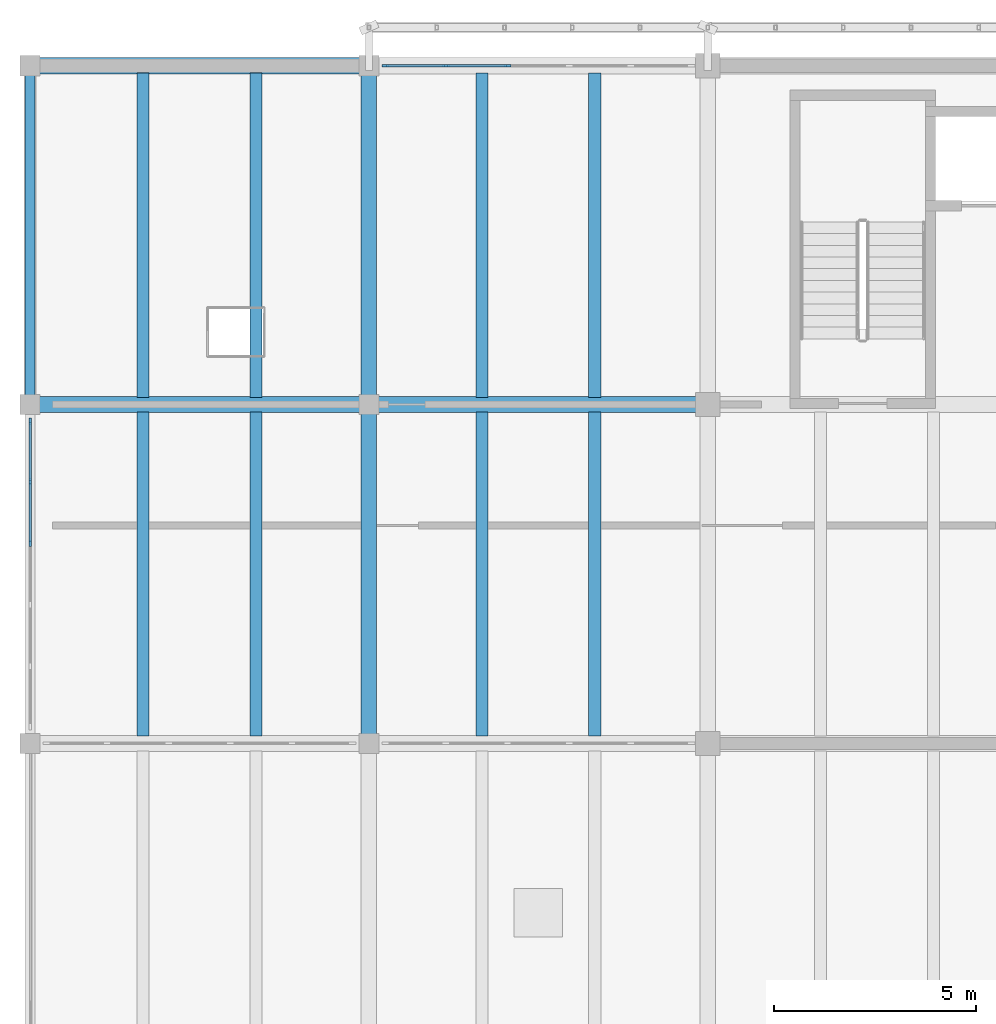
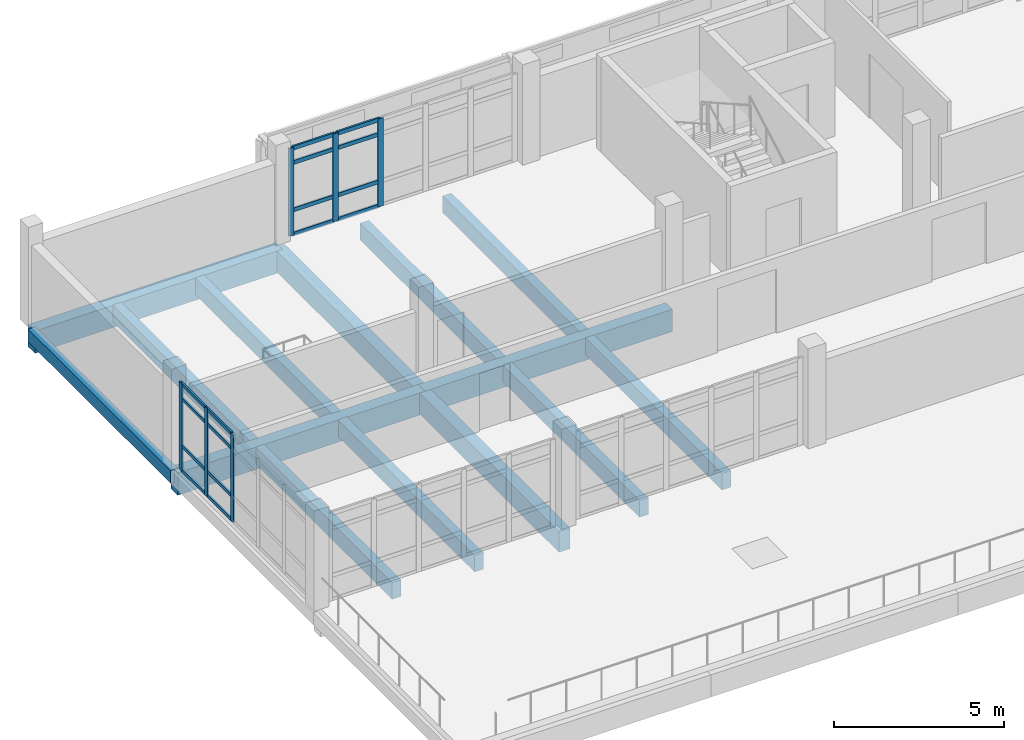
# One storey, part 17 of 50: 22 members, 14 beams, 2 elements without a shape of their own.
"""IFC4 building model written with IfcOpenShell, lengths in metres."""

from ifc_helpers import new_model, si_unit, direction, frame, origin, origin_2d, place, context, subcontext, project, spatial, rectangle, extrude, material, material_profile, profile_set, type_object, element, aggregate, save


model = new_model("IFC4")

# Units and contexts
model_context = context("Model", 3, precision=1e-05, world=origin(), true_north=direction((0.0, 1.0)))
body_context = subcontext(model_context, "Body", "Model", "MODEL_VIEW")
ifc_project = project(units=[si_unit("LENGTHUNIT", "METRE"), si_unit("AREAUNIT", "SQUARE_METRE"), si_unit("VOLUMEUNIT", "CUBIC_METRE"), si_unit("PLANEANGLEUNIT", "RADIAN"), si_unit("MASSUNIT", "GRAM", prefix="KILO")], contexts=[model_context])

# Site, building, storey
site_placement = place(None, origin())
site = spatial("IfcSite", under=ifc_project, at=site_placement, CompositionType="ELEMENT")
building_placement = place(site_placement, origin())
building = spatial("IfcBuilding", under=site, at=building_placement, Name="Cinderway Yard Community Centre", CompositionType="ELEMENT")
storey_placement = place(building_placement, frame((0.0, 0.0, 12.89990234375)))
storey = spatial("IfcBuildingStorey", under=building, at=storey_placement, Name="L03", CompositionType="ELEMENT", Elevation=12.89990234375)

# Curtain wall, members
ifc_material_1 = material(Name="Aluminium 6063-T6", Category="aluminium")
curtain_wall_type = type_object("IfcCurtainWallType", Name="ENV-CW-TYPE-32", PredefinedType="USERDEFINED", material=ifc_material_1)
curtain_wall_1_placement = place(storey_placement, origin())
curtain_wall_1 = element("IfcCurtainWall", 1, at=curtain_wall_1_placement, inside=storey, type_object=curtain_wall_type, Name="V4 West End Curtain Wall ENV-CW-L03-ST-0174", ObjectType="GLAZED CURTAIN WALL", PredefinedType="USERDEFINED")
ifc_material_profile_1 = material_profile(ifc_material_1, rectangle(XDim=0.06005859375, YDim=0.159912109375, at=origin_2d()), Name="Aluminium 6063-T6")
ifc_profile_set_1 = profile_set([ifc_material_profile_1], Name="Aluminium 6063-T6")
member_type_1 = type_object("IfcMemberType", Name="ENV-CW-MULL-150", PredefinedType="MULLION", material=ifc_profile_set_1)
member_1_placement = place(storey_placement, frame((41.60009765625, 103.364013671875, 0.0), z_axis=(0.0, 0.0, 1.0), x_axis=(-1.0, 0.0, 0.0)))
member_1 = element("IfcMember", 2, at=member_1_placement, type_object=member_type_1, Name="CW-32 mullion 4", PredefinedType="MULLION", context=body_context, shape_type="SweptSolid", body=[
    extrude(rectangle(XDim=0.06005859375, YDim=0.159912109375, at=origin_2d()), origin(), (0.0, 0.0, 1.0), 3.150146484375),
])
member_2_placement = place(storey_placement, frame((41.60009765625, 104.89208984375, 0.0), z_axis=(0.0, 0.0, 1.0), x_axis=(-1.0, 0.0, 0.0)))
member_2 = element("IfcMember", 3, at=member_2_placement, type_object=member_type_1, Name="CW-32 mullion 5", PredefinedType="MULLION", context=body_context, shape_type="SweptSolid", body=[
    extrude(rectangle(XDim=0.06005859375, YDim=0.159912109375, at=origin_2d()), origin(), (0.0, 0.0, 1.0), 3.150146484375),
])
member_3_placement = place(storey_placement, frame((41.60009765625, 106.389892578125, 0.0), z_axis=(0.0, 0.0, 1.0), x_axis=(-1.0, 0.0, 0.0)))
member_3 = element("IfcMember", 4, at=member_3_placement, type_object=member_type_1, Name="CW-32 mullion 6", PredefinedType="MULLION", context=body_context, shape_type="SweptSolid", body=[
    extrude(rectangle(XDim=0.06005859375, YDim=0.159912109375, at=origin_2d()), origin(), (0.0, 0.0, 1.0), 3.150146484375),
])

curtain_wall_2_placement = place(storey_placement, origin())
curtain_wall_2 = element("IfcCurtainWall", 5, at=curtain_wall_2_placement, inside=storey, type_object=curtain_wall_type, Name="V4 Street Curtain Wall ENV-CW-L03-HS-0161", ObjectType="GLAZED CURTAIN WALL", PredefinedType="USERDEFINED")
ifc_material_profile_2 = material_profile(ifc_material_1, rectangle(XDim=0.06494140625, YDim=0.179931640625, at=origin_2d()), Name="Aluminium 6063-T6")
ifc_profile_set_2 = profile_set([ifc_material_profile_2], Name="Aluminium 6063-T6")
member_type_2 = type_object("IfcMemberType", Name="ENV-CW-MULL-180", PredefinedType="MULLION", material=ifc_profile_set_2)
member_4_placement = place(storey_placement, frame((50.409912109375, 115.199951171875, 0.0), z_axis=(0.0, 0.0, 1.0), x_axis=(0.0, 1.0, 0.0)))
member_4 = element("IfcMember", 6, at=member_4_placement, type_object=member_type_2, Name="CW-32 mullion 1", PredefinedType="MULLION", context=body_context, shape_type="SweptSolid", body=[
    extrude(rectangle(XDim=0.06494140625, YDim=0.179931640625, at=origin_2d()), origin(), (0.0, 0.0, 1.0), 3.150146484375),
])
member_5_placement = place(storey_placement, frame((51.907958984375, 115.199951171875, 0.0), z_axis=(0.0, 0.0, 1.0), x_axis=(0.0, 1.0, 0.0)))
member_5 = element("IfcMember", 7, at=member_5_placement, type_object=member_type_2, Name="CW-32 mullion 2", PredefinedType="MULLION", context=body_context, shape_type="SweptSolid", body=[
    extrude(rectangle(XDim=0.06494140625, YDim=0.179931640625, at=origin_2d()), origin(), (0.0, 0.0, 1.0), 3.150146484375),
])
member_6_placement = place(storey_placement, frame((53.43603515625, 115.199951171875, 0.0), z_axis=(0.0, 0.0, 1.0), x_axis=(0.0, 1.0, 0.0)))
member_6 = element("IfcMember", 8, at=member_6_placement, type_object=member_type_2, Name="CW-32 mullion 3", PredefinedType="MULLION", context=body_context, shape_type="SweptSolid", body=[
    extrude(rectangle(XDim=0.06494140625, YDim=0.179931640625, at=origin_2d()), origin(), (0.0, 0.0, 1.0), 3.150146484375),
])

# Member
ifc_material_profile_3 = material_profile(ifc_material_1, rectangle(XDim=0.06005859375, YDim=0.1201171875, at=origin_2d()), Name="Aluminium 6063-T6")
ifc_profile_set_3 = profile_set([ifc_material_profile_3], Name="Aluminium 6063-T6")
member_type_3 = type_object("IfcMemberType", Name="ENV-CW-TRAN-110", PredefinedType="USERDEFINED", material=ifc_profile_set_3)
member_7_placement = place(storey_placement, frame((41.60009765625, 103.39404296875, 0.030029296875), z_axis=(0.0, 1.0, 0.0), x_axis=(-1.0, 0.0, 0.0)))
member_7 = element("IfcMember", 9, at=member_7_placement, type_object=member_type_3, Name="CW-32 transom 4.1", ObjectType="TRANSOM", PredefinedType="USERDEFINED", context=body_context, shape_type="SweptSolid", body=[
    extrude(rectangle(XDim=0.06005859375, YDim=0.1201171875, at=origin_2d()), origin(), (0.0, 0.0, 1.0), 1.468017578125),
])

member_8_placement = place(storey_placement, frame((41.60009765625, 103.39404296875, 0.900146484375), z_axis=(0.0, 1.0, 0.0), x_axis=(-1.0, 0.0, 0.0)))
member_8 = element("IfcMember", 10, at=member_8_placement, type_object=member_type_3, Name="CW-32 transom 4.2", ObjectType="TRANSOM", PredefinedType="USERDEFINED", context=body_context, shape_type="SweptSolid", body=[
    extrude(rectangle(XDim=0.06005859375, YDim=0.1201171875, at=origin_2d()), origin(), (0.0, 0.0, 1.0), 1.468017578125),
])

member_9_placement = place(storey_placement, frame((41.60009765625, 103.39404296875, 2.60009765625), z_axis=(0.0, 1.0, 0.0), x_axis=(-1.0, 0.0, 0.0)))
member_9 = element("IfcMember", 11, at=member_9_placement, type_object=member_type_3, Name="CW-32 transom 4.3", ObjectType="TRANSOM", PredefinedType="USERDEFINED", context=body_context, shape_type="SweptSolid", body=[
    extrude(rectangle(XDim=0.06005859375, YDim=0.1201171875, at=origin_2d()), origin(), (0.0, 0.0, 1.0), 1.468017578125),
])

member_10_placement = place(storey_placement, frame((41.60009765625, 103.39404296875, 3.1201171875), z_axis=(0.0, 1.0, 0.0), x_axis=(-1.0, 0.0, 0.0)))
member_10 = element("IfcMember", 12, at=member_10_placement, type_object=member_type_3, Name="CW-32 transom 4.4", ObjectType="TRANSOM", PredefinedType="USERDEFINED", context=body_context, shape_type="SweptSolid", body=[
    extrude(rectangle(XDim=0.06005859375, YDim=0.1201171875, at=origin_2d()), origin(), (0.0, 0.0, 1.0), 1.468017578125),
])

member_11_placement = place(storey_placement, frame((41.60009765625, 104.922119140625, 0.030029296875), z_axis=(0.0, 1.0, 0.0), x_axis=(-1.0, 0.0, 0.0)))
member_11 = element("IfcMember", 13, at=member_11_placement, type_object=member_type_3, Name="CW-32 transom 5.1", ObjectType="TRANSOM", PredefinedType="USERDEFINED", context=body_context, shape_type="SweptSolid", body=[
    extrude(rectangle(XDim=0.06005859375, YDim=0.1201171875, at=origin_2d()), origin(), (0.0, 0.0, 1.0), 1.43798828125),
])

member_12_placement = place(storey_placement, frame((41.60009765625, 104.922119140625, 0.900146484375), z_axis=(0.0, 1.0, 0.0), x_axis=(-1.0, 0.0, 0.0)))
member_12 = element("IfcMember", 14, at=member_12_placement, type_object=member_type_3, Name="CW-32 transom 5.2", ObjectType="TRANSOM", PredefinedType="USERDEFINED", context=body_context, shape_type="SweptSolid", body=[
    extrude(rectangle(XDim=0.06005859375, YDim=0.1201171875, at=origin_2d()), origin(), (0.0, 0.0, 1.0), 1.43798828125),
])

member_13_placement = place(storey_placement, frame((41.60009765625, 104.922119140625, 2.60009765625), z_axis=(0.0, 1.0, 0.0), x_axis=(-1.0, 0.0, 0.0)))
member_13 = element("IfcMember", 15, at=member_13_placement, type_object=member_type_3, Name="CW-32 transom 5.3", ObjectType="TRANSOM", PredefinedType="USERDEFINED", context=body_context, shape_type="SweptSolid", body=[
    extrude(rectangle(XDim=0.06005859375, YDim=0.1201171875, at=origin_2d()), origin(), (0.0, 0.0, 1.0), 1.43798828125),
])

member_14_placement = place(storey_placement, frame((41.60009765625, 104.922119140625, 3.1201171875), z_axis=(0.0, 1.0, 0.0), x_axis=(-1.0, 0.0, 0.0)))
member_14 = element("IfcMember", 16, at=member_14_placement, type_object=member_type_3, Name="CW-32 transom 5.4", ObjectType="TRANSOM", PredefinedType="USERDEFINED", context=body_context, shape_type="SweptSolid", body=[
    extrude(rectangle(XDim=0.06005859375, YDim=0.1201171875, at=origin_2d()), origin(), (0.0, 0.0, 1.0), 1.43798828125),
])

aggregate(curtain_wall_1, [member_1, member_2, member_3, member_7, member_8, member_9, member_10, member_11, member_12, member_13, member_14])

ifc_material_profile_4 = material_profile(ifc_material_1, rectangle(XDim=0.06494140625, YDim=0.139892578125, at=origin_2d()), Name="Aluminium 6063-T6")
ifc_profile_set_4 = profile_set([ifc_material_profile_4], Name="Aluminium 6063-T6")
member_type_4 = type_object("IfcMemberType", Name="ENV-CW-TRAN-140", PredefinedType="USERDEFINED", material=ifc_profile_set_4)
member_15_placement = place(storey_placement, frame((50.43994140625, 115.199951171875, 0.030029296875), z_axis=(1.0, 0.0, 0.0), x_axis=(0.0, 1.0, 0.0)))
member_15 = element("IfcMember", 17, at=member_15_placement, type_object=member_type_4, Name="CW-32 transom 1.1", ObjectType="TRANSOM", PredefinedType="USERDEFINED", context=body_context, shape_type="SweptSolid", body=[
    extrude(rectangle(XDim=0.06494140625, YDim=0.139892578125, at=origin_2d()), origin(), (0.0, 0.0, 1.0), 1.43798828125),
])

member_16_placement = place(storey_placement, frame((50.43994140625, 115.199951171875, 0.900146484375), z_axis=(1.0, 0.0, 0.0), x_axis=(0.0, 1.0, 0.0)))
member_16 = element("IfcMember", 18, at=member_16_placement, type_object=member_type_4, Name="CW-32 transom 1.2", ObjectType="TRANSOM", PredefinedType="USERDEFINED", context=body_context, shape_type="SweptSolid", body=[
    extrude(rectangle(XDim=0.06494140625, YDim=0.139892578125, at=origin_2d()), origin(), (0.0, 0.0, 1.0), 1.43798828125),
])

member_17_placement = place(storey_placement, frame((50.43994140625, 115.199951171875, 2.60009765625), z_axis=(1.0, 0.0, 0.0), x_axis=(0.0, 1.0, 0.0)))
member_17 = element("IfcMember", 19, at=member_17_placement, type_object=member_type_4, Name="CW-32 transom 1.3", ObjectType="TRANSOM", PredefinedType="USERDEFINED", context=body_context, shape_type="SweptSolid", body=[
    extrude(rectangle(XDim=0.06494140625, YDim=0.139892578125, at=origin_2d()), origin(), (0.0, 0.0, 1.0), 1.43798828125),
])

member_18_placement = place(storey_placement, frame((50.43994140625, 115.199951171875, 3.1201171875), z_axis=(1.0, 0.0, 0.0), x_axis=(0.0, 1.0, 0.0)))
member_18 = element("IfcMember", 20, at=member_18_placement, type_object=member_type_4, Name="CW-32 transom 1.4", ObjectType="TRANSOM", PredefinedType="USERDEFINED", context=body_context, shape_type="SweptSolid", body=[
    extrude(rectangle(XDim=0.06494140625, YDim=0.139892578125, at=origin_2d()), origin(), (0.0, 0.0, 1.0), 1.43798828125),
])

member_19_placement = place(storey_placement, frame((51.93798828125, 115.199951171875, 0.030029296875), z_axis=(1.0, 0.0, 0.0), x_axis=(0.0, 1.0, 0.0)))
member_19 = element("IfcMember", 21, at=member_19_placement, type_object=member_type_4, Name="CW-32 transom 2.1", ObjectType="TRANSOM", PredefinedType="USERDEFINED", context=body_context, shape_type="SweptSolid", body=[
    extrude(rectangle(XDim=0.06494140625, YDim=0.139892578125, at=origin_2d()), origin(), (0.0, 0.0, 1.0), 1.468017578125),
])

member_20_placement = place(storey_placement, frame((51.93798828125, 115.199951171875, 0.900146484375), z_axis=(1.0, 0.0, 0.0), x_axis=(0.0, 1.0, 0.0)))
member_20 = element("IfcMember", 22, at=member_20_placement, type_object=member_type_4, Name="CW-32 transom 2.2", ObjectType="TRANSOM", PredefinedType="USERDEFINED", context=body_context, shape_type="SweptSolid", body=[
    extrude(rectangle(XDim=0.06494140625, YDim=0.139892578125, at=origin_2d()), origin(), (0.0, 0.0, 1.0), 1.468017578125),
])

member_21_placement = place(storey_placement, frame((51.93798828125, 115.199951171875, 2.60009765625), z_axis=(1.0, 0.0, 0.0), x_axis=(0.0, 1.0, 0.0)))
member_21 = element("IfcMember", 23, at=member_21_placement, type_object=member_type_4, Name="CW-32 transom 2.3", ObjectType="TRANSOM", PredefinedType="USERDEFINED", context=body_context, shape_type="SweptSolid", body=[
    extrude(rectangle(XDim=0.06494140625, YDim=0.139892578125, at=origin_2d()), origin(), (0.0, 0.0, 1.0), 1.468017578125),
])

member_22_placement = place(storey_placement, frame((51.93798828125, 115.199951171875, 3.1201171875), z_axis=(1.0, 0.0, 0.0), x_axis=(0.0, 1.0, 0.0)))
member_22 = element("IfcMember", 24, at=member_22_placement, type_object=member_type_4, Name="CW-32 transom 2.4", ObjectType="TRANSOM", PredefinedType="USERDEFINED", context=body_context, shape_type="SweptSolid", body=[
    extrude(rectangle(XDim=0.06494140625, YDim=0.139892578125, at=origin_2d()), origin(), (0.0, 0.0, 1.0), 1.468017578125),
])

aggregate(curtain_wall_2, [member_4, member_5, member_6, member_15, member_16, member_17, member_18, member_19, member_20, member_21, member_22])

# Beams
ifc_material_2 = material(Name="Concrete C40/50", Category="concrete")
ifc_material_profile_5 = material_profile(ifc_material_2, rectangle(XDim=0.25, YDim=0.449951171875, at=origin_2d()), Name="Concrete C40/50")
ifc_profile_set_5 = profile_set([ifc_material_profile_5], Name="Concrete C40/50")
beam_type_1 = type_object("IfcBeamType", Name="STR-BM-RC250X450", PredefinedType="SPANDREL", material=ifc_profile_set_5)
beam_1_placement = place(storey_placement, frame((41.60009765625, 106.800048828125, -0.46484375), z_axis=(0.0, 1.0, 0.0), x_axis=(-1.0, 0.0, 0.0)))
element("IfcBeam", 25, at=beam_1_placement, inside=storey, type_object=beam_type_1, Name="Transverse girder STR-BM-L03-SP02-0716", PredefinedType="SPANDREL", context=body_context, shape_type="SweptSolid", body=[
    extrude(rectangle(XDim=0.25, YDim=0.449951171875, at=origin_2d()), origin(), (0.0, 0.0, 1.0), 8.39990234375),
])
ifc_material_3 = material(Name="Concrete C35/45", Category="concrete")
ifc_material_profile_6 = material_profile(ifc_material_3, rectangle(XDim=0.300048828125, YDim=0.60009765625, at=origin_2d()), Name="Concrete C35/45")
ifc_profile_set_6 = profile_set([ifc_material_profile_6], Name="Concrete C35/45")
beam_type_2 = type_object("IfcBeamType", Name="STR-BM-RC300X600", PredefinedType="JOIST", material=ifc_profile_set_6)
for number, where, z_axis, x_axis, name in (
    (26, (44.39990234375, 98.58203125, -0.539794921875), (0.0, 1.0, 0.0), (-1.0, 0.0, 0.0), "Secondary joist STR-BM-L03-BJ02-0752"),
    (27, (47.199951171875, 98.58203125, -0.539794921875), (0.0, 1.0, 0.0), (-1.0, 0.0, 0.0), "Secondary joist STR-BM-L03-BJ02-0753"),
):
    element("IfcBeam", number, at=place(storey_placement, frame(where, z_axis=z_axis, x_axis=x_axis)), inside=storey, type_object=beam_type_2, Name=name, PredefinedType="JOIST", context=body_context, shape_type="SweptSolid", body=[
        extrude(rectangle(XDim=0.300048828125, YDim=0.60009765625, at=origin_2d()), origin(), (0.0, 0.0, 1.0), 8.035888671875),
    ])
for number, where, z_axis, x_axis, name in (
    (28, (44.39990234375, 106.98193359375, -0.539794921875), (0.0, 1.0, 0.0), (-1.0, 0.0, 0.0), "Secondary joist STR-BM-L03-BJ02-0754"),
    (29, (47.199951171875, 106.98193359375, -0.539794921875), (0.0, 1.0, 0.0), (-1.0, 0.0, 0.0), "Secondary joist STR-BM-L03-BJ02-0755"),
):
    element("IfcBeam", number, at=place(storey_placement, frame(where, z_axis=z_axis, x_axis=x_axis)), inside=storey, type_object=beam_type_2, Name=name, PredefinedType="JOIST", context=body_context, shape_type="SweptSolid", body=[
        extrude(rectangle(XDim=0.300048828125, YDim=0.60009765625, at=origin_2d()), origin(), (0.0, 0.0, 1.0), 8.0361328125),
    ])
for number, where, z_axis, x_axis, name in (
    (30, (52.800048828125, 98.58203125, -0.539794921875), (0.0, 1.0, 0.0), (-1.0, 0.0, 0.0), "Secondary joist STR-BM-L03-BJ02-0758"),
    (31, (55.60009765625, 98.58203125, -0.539794921875), (0.0, 1.0, 0.0), (-1.0, 0.0, 0.0), "Secondary joist STR-BM-L03-BJ02-0759"),
):
    element("IfcBeam", number, at=place(storey_placement, frame(where, z_axis=z_axis, x_axis=x_axis)), inside=storey, type_object=beam_type_2, Name=name, PredefinedType="JOIST", context=body_context, shape_type="SweptSolid", body=[
        extrude(rectangle(XDim=0.300048828125, YDim=0.60009765625, at=origin_2d()), origin(), (0.0, 0.0, 1.0), 8.035888671875),
    ])
for number, where, z_axis, x_axis, name in (
    (32, (52.800048828125, 106.98193359375, -0.539794921875), (0.0, 1.0, 0.0), (-1.0, 0.0, 0.0), "Secondary joist STR-BM-L03-BJ02-0760"),
    (33, (55.60009765625, 106.98193359375, -0.539794921875), (0.0, 1.0, 0.0), (-1.0, 0.0, 0.0), "Secondary joist STR-BM-L03-BJ02-0761"),
):
    element("IfcBeam", number, at=place(storey_placement, frame(where, z_axis=z_axis, x_axis=x_axis)), inside=storey, type_object=beam_type_2, Name=name, PredefinedType="JOIST", context=body_context, shape_type="SweptSolid", body=[
        extrude(rectangle(XDim=0.300048828125, YDim=0.60009765625, at=origin_2d()), origin(), (0.0, 0.0, 1.0), 8.0361328125),
    ])
ifc_material_profile_7 = material_profile(ifc_material_3, rectangle(XDim=0.3798828125, YDim=0.75, at=origin_2d()), Name="Concrete C35/45")
ifc_profile_set_7 = profile_set([ifc_material_profile_7], Name="Concrete C35/45")
beam_type_3 = type_object("IfcBeamType", Name="STR-BM-RC380X750", PredefinedType="BEAM", material=ifc_profile_set_7)
beam_2_placement = place(storey_placement, frame((50.0, 98.39990234375, -0.614990234375), z_axis=(0.0, 1.0, 0.0), x_axis=(-1.0, 0.0, 0.0)))
element("IfcBeam", 34, at=beam_2_placement, inside=storey, type_object=beam_type_3, Name="Transverse girder STR-BM-L03-BG06-0718", PredefinedType="BEAM", context=body_context, shape_type="SweptSolid", body=[
    extrude(rectangle(XDim=0.3798828125, YDim=0.75, at=origin_2d()), origin(), (0.0, 0.0, 1.0), 8.400146484375),
])
beam_3_placement = place(storey_placement, frame((50.0, 106.800048828125, -0.614990234375), z_axis=(0.0, 1.0, 0.0), x_axis=(-1.0, 0.0, 0.0)))
element("IfcBeam", 35, at=beam_3_placement, inside=storey, type_object=beam_type_3, Name="Transverse girder STR-BM-L03-BG06-0719", PredefinedType="BEAM", context=body_context, shape_type="SweptSolid", body=[
    extrude(rectangle(XDim=0.3798828125, YDim=0.75, at=origin_2d()), origin(), (0.0, 0.0, 1.0), 8.39990234375),
])
ifc_material_profile_8 = material_profile(ifc_material_2, rectangle(XDim=0.39990234375, YDim=0.800048828125, at=origin_2d()), Name="Concrete C40/50")
ifc_profile_set_8 = profile_set([ifc_material_profile_8], Name="Concrete C40/50")
beam_type_4 = type_object("IfcBeamType", Name="STR-BM-RC400X800", PredefinedType="BEAM", material=ifc_profile_set_8)
for number, where, z_axis, x_axis, name in (
    (36, (41.60009765625, 106.800048828125, -0.639892578125), (1.0, 0.0, 0.0), (0.0, 1.0, 0.0), "Primary girder STR-BM-L03-BG05-0692"),
    (37, (50.0, 106.800048828125, -0.639892578125), (1.0, 0.0, 0.0), (0.0, 1.0, 0.0), "Primary girder STR-BM-L03-BG05-0693"),
    (38, (41.60009765625, 115.199951171875, -0.639892578125), (1.0, 0.0, 0.0), (0.0, 1.0, 0.0), "Primary girder STR-BM-L03-BG05-0703"),
):
    element("IfcBeam", number, at=place(storey_placement, frame(where, z_axis=z_axis, x_axis=x_axis)), inside=storey, type_object=beam_type_4, Name=name, PredefinedType="BEAM", context=body_context, shape_type="SweptSolid", body=[
        extrude(rectangle(XDim=0.39990234375, YDim=0.800048828125, at=origin_2d()), origin(), (0.0, 0.0, 1.0), 8.39990234375),
    ])

save(model, "model.ifc")
